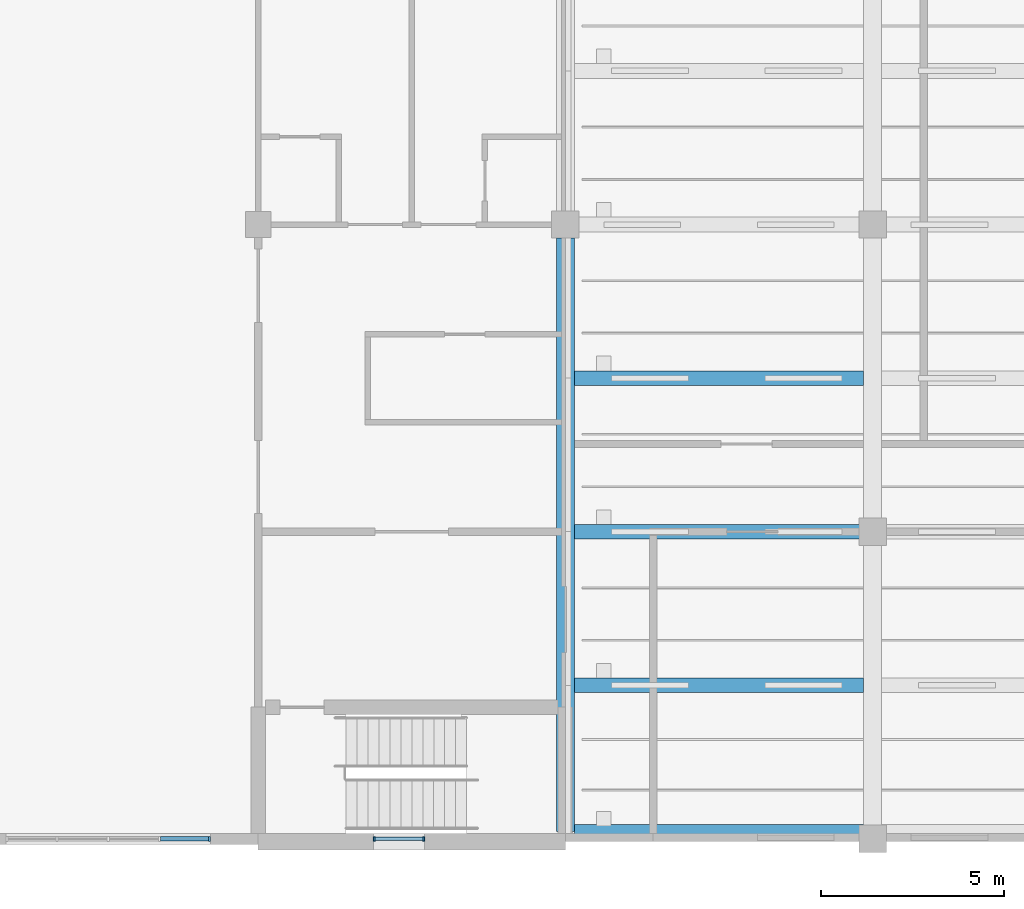
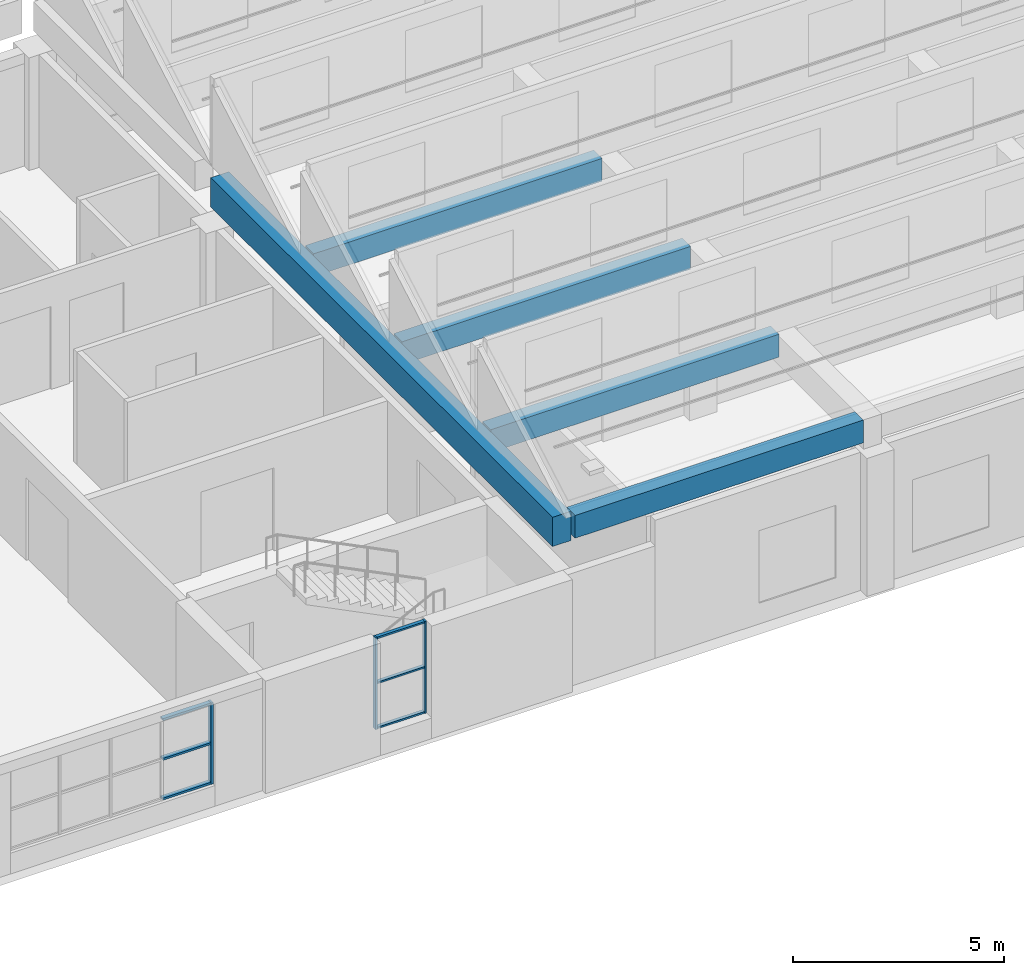
# One storey, part 4 of 61: 9 members, 5 beams, 2 elements without a shape of their own.
"""IFC4 building model written with IfcOpenShell, lengths in metres."""

import ifcopenshell
import ifcopenshell.guid

model = None  # the IFC model being written
_history = None  # IfcOwnerHistory: only IFC2X3 demands one
_inside = {}  # id of a spatial element -> (the spatial element, [elements in it])
_under = {}  # id of a project, library or spatial element -> (it, [spatial elements below it])
_declared = {}  # id of a project -> (the project, [libraries it declares])
_typed = {}  # id of a type object -> (the type object, [elements of that type])
_made_of = {}  # id of a material, layer set ... -> (it, [elements and type objects made of it])


def new_model(schema):
    """Start an empty IFC model of exactly this schema.

    Asked for "IFC4X3", IfcOpenShell would pick the latest addendum, in which some entities
    have other attributes; the version numbers below select the first issue.
    IFC2X3 requires an IfcOwnerHistory on every rooted entity: one is made here for all.
    """
    global model, _history
    if schema == "IFC4X3":
        model = ifcopenshell.file(schema_version=(4, 3, 0, 0))
    else:
        model = ifcopenshell.file(schema=schema)
    _inside.clear()
    _under.clear()
    _declared.clear()
    _typed.clear()
    _made_of.clear()
    _history = None
    if model.schema == "IFC2X3":
        org = make("IfcOrganization", Name="unknown")
        user = make(
            "IfcPersonAndOrganization",
            ThePerson=make("IfcPerson", FamilyName="unknown"),
            TheOrganization=org,
        )
        app = make(
            "IfcApplication",
            ApplicationDeveloper=org,
            Version="unknown",
            ApplicationFullName="unknown",
            ApplicationIdentifier="unknown",
        )
        _history = make(
            "IfcOwnerHistory",
            OwningUser=user,
            OwningApplication=app,
            ChangeAction="ADDED",
            CreationDate=0,
        )
    return model


def make(cls, **values):
    """One entity of the class cls with the attributes given. An attribute that is None is left unset."""
    return model.create_entity(
        cls, **{name: value for name, value in values.items() if value is not None}
    )


def rooted(cls, **values):
    """An entity with a GlobalId (a new one), such as an element, a storey or a relation."""
    return make(cls, GlobalId=ifcopenshell.guid.new(), OwnerHistory=_history, **values)


def si_unit(unit_type, name, prefix=None):
    """IfcSIUnit, for example si_unit("LENGTHUNIT", "METRE", prefix="MILLI")."""
    return make("IfcSIUnit", UnitType=unit_type, Prefix=prefix, Name=name)


def assignment(units):
    """IfcUnitAssignment: the units of a project."""
    return None if units is None else make("IfcUnitAssignment", Units=units)


def point(xyz):
    """IfcCartesianPoint."""
    return None if xyz is None else make("IfcCartesianPoint", Coordinates=xyz)


def direction(xyz):
    """IfcDirection."""
    return None if xyz is None else make("IfcDirection", DirectionRatios=xyz)


def frame(location, z_axis=None, x_axis=None):
    """IfcAxis2Placement3D, a coordinate frame: its origin and axes. An axis left out is left unset."""
    return make(
        "IfcAxis2Placement3D",
        Location=point(location),
        Axis=direction(z_axis),
        RefDirection=direction(x_axis),
    )


def frame_2d(location, x_axis=None):
    """IfcAxis2Placement2D, a coordinate frame in the plane: its origin and x axis."""
    return make(
        "IfcAxis2Placement2D", Location=point(location), RefDirection=direction(x_axis)
    )


def origin():
    """The frame at (0, 0, 0) with its axes left unset."""
    return frame((0.0, 0.0, 0.0))


def origin_2d():
    """The frame at (0, 0) in the plane with its x axis left unset."""
    return frame_2d((0.0, 0.0))


def place(relative_to, where):
    """IfcLocalPlacement: puts the frame where relative to a parent placement (None: the world)."""
    return make(
        "IfcLocalPlacement", PlacementRelTo=relative_to, RelativePlacement=where
    )


def context(
    kind, dimensions, precision=None, world=None, true_north=None, identifier=None
):
    """IfcGeometricRepresentationContext, for example the 3D "Model" context."""
    return make(
        "IfcGeometricRepresentationContext",
        ContextIdentifier=identifier,
        ContextType=kind,
        CoordinateSpaceDimension=dimensions,
        Precision=precision,
        WorldCoordinateSystem=world,
        TrueNorth=true_north,
    )


def subcontext(parent, identifier, kind, view, scale=None):
    """IfcGeometricRepresentationSubContext, for example "Body" below "Model"."""
    return make(
        "IfcGeometricRepresentationSubContext",
        ContextIdentifier=identifier,
        ContextType=kind,
        ParentContext=parent,
        TargetScale=scale,
        TargetView=view,
    )


def project(units=None, contexts=None):
    """IfcProject with its units and contexts."""
    return rooted(
        "IfcProject",
        Name="project",
        RepresentationContexts=contexts,
        UnitsInContext=assignment(units),
    )


def spatial(cls, under=None, at=None, **own):
    """A site, building, storey or space (cls), placed at a placement, below another one or the project."""
    s = rooted(cls, ObjectPlacement=at, **own)
    if under is not None:
        _under.setdefault(under.id(), (under, []))[1].append(s)
    return s


def profile(cls, at=None, kind="AREA", **sizes):
    """A parametric profile (cls). Its sizes go by their IFC names, for example OverallWidth=200.0."""
    return make(cls, ProfileType=kind, Position=at, **sizes)


def rectangle(**sizes):
    """IfcRectangleProfileDef."""
    return profile("IfcRectangleProfileDef", **sizes)


def extrude(swept, where, along, depth):
    """IfcExtrudedAreaSolid: the profile swept, set in the frame where, extruded along a direction by depth."""
    return make(
        "IfcExtrudedAreaSolid",
        SweptArea=swept,
        Position=where,
        ExtrudedDirection=direction(along),
        Depth=depth,
    )


def shape(context_of_items, identifier, shape_type, items):
    """IfcShapeRepresentation: the items that make up one representation, for example the "Body"."""
    return make(
        "IfcShapeRepresentation",
        ContextOfItems=context_of_items,
        RepresentationIdentifier=identifier,
        RepresentationType=shape_type,
        Items=items,
    )


def material(Name=None, Category=None):
    """IfcMaterial."""
    return make("IfcMaterial", Name=Name, Category=Category)


def material_profile(
    of_material, cross_section, Name=None, Category=None, Priority=None
):
    """IfcMaterialProfile: a cross section and its material."""
    return make(
        "IfcMaterialProfile",
        Name=Name,
        Material=of_material,
        Profile=cross_section,
        Priority=Priority,
        Category=Category,
    )


def profile_set(profiles, Name=None, composite=None):
    """IfcMaterialProfileSet."""
    return make(
        "IfcMaterialProfileSet",
        Name=Name,
        MaterialProfiles=profiles,
        CompositeProfile=composite,
    )


def made_of(thing, what):
    """Note that an element or type object is made of a material, layer set ...; save() writes the relation."""
    if what is not None:
        _made_of.setdefault(what.id(), (what, []))[1].append(thing)
    return thing


def type_object(cls, material=None, **own):
    """A type object (cls), such as IfcWallType, which elements share."""
    return made_of(rooted(cls, **own), material)


def element(
    cls,
    number,
    at=None,
    inside=None,
    cuts=None,
    type_object=None,
    material=None,
    context=None,
    identifier="Body",
    shape_type=None,
    held_by="IfcProductDefinitionShape",
    body=None,
    shapes=None,
    **own,
):
    """One element of the class cls, such as IfcWall. Its Tag is "e" and its number.

    at: its placement. inside: the storey or other place that contains it. cuts: it is an
    opening in that element (IfcRelVoidsElement). A single representation is given by context,
    identifier, shape_type and body (its items); several are given by shapes. held_by: the class
    of the entity that holds the representations. save() writes the other relations.
    """
    e = rooted(cls, Tag="e%d" % number, ObjectPlacement=at, **own)
    if body is not None:
        shapes = [shape(context, identifier, shape_type, body)]
    if shapes is not None:
        e.Representation = make(held_by, Representations=shapes)
    if inside is not None:
        _inside.setdefault(inside.id(), (inside, []))[1].append(e)
    if cuts is not None:
        rooted(
            "IfcRelVoidsElement", RelatingBuildingElement=cuts, RelatedOpeningElement=e
        )
    if type_object is not None:
        _typed.setdefault(type_object.id(), (type_object, []))[1].append(e)
    return made_of(e, material)


def aggregate(whole, parts):
    """IfcRelAggregates: a whole, such as a stair, and the parts it consists of."""
    return rooted("IfcRelAggregates", RelatingObject=whole, RelatedObjects=parts)


def save(model, path):
    """Write the relations noted so far, then the file.

    IfcRelAggregates (storeys below a building ...), IfcRelContainedInSpatialStructure (elements
    in a storey), IfcRelDefinesByType, IfcRelAssociatesMaterial and IfcRelDeclares: one each for
    every whole, place, type object, material and project.
    """
    for whole, parts in _under.values():
        aggregate(whole, parts)
    for where, things in _inside.values():
        rooted(
            "IfcRelContainedInSpatialStructure",
            RelatedElements=things,
            RelatingStructure=where,
        )
    for kind, things in _typed.values():
        rooted("IfcRelDefinesByType", RelatedObjects=things, RelatingType=kind)
    for what, things in _made_of.values():
        rooted("IfcRelAssociatesMaterial", RelatedObjects=things, RelatingMaterial=what)
    for by, libraries in _declared.values():
        rooted("IfcRelDeclares", RelatingContext=by, RelatedDefinitions=libraries)
    model.write(path)


model = new_model("IFC4")

# Units and contexts
model_context = context("Model", 3, precision=1e-05, world=origin(), true_north=direction((0.0, 1.0)))
body_context = subcontext(model_context, "Body", "Model", "MODEL_VIEW")
ifc_project = project(units=[si_unit("LENGTHUNIT", "METRE"), si_unit("AREAUNIT", "SQUARE_METRE"), si_unit("VOLUMEUNIT", "CUBIC_METRE"), si_unit("PLANEANGLEUNIT", "RADIAN"), si_unit("MASSUNIT", "GRAM", prefix="KILO")], contexts=[model_context])

# Site, building, storey
site_placement = place(None, origin())
site = spatial("IfcSite", under=ifc_project, at=site_placement, CompositionType="ELEMENT")
building_placement = place(site_placement, origin())
building = spatial("IfcBuilding", under=site, at=building_placement, Name="Yavir Park General Hospital", CompositionType="ELEMENT")
storey_placement = place(building_placement, frame((0.0, 0.0, 15.300048828125)))
storey = spatial("IfcBuildingStorey", under=building, at=storey_placement, Name="L03", CompositionType="ELEMENT", Elevation=15.300048828125)

# Curtain wall, members
ifc_material_1 = material(Name="Aluminium curtain wall frame with insulated glazing", Category="aluminium")
curtain_wall_type_1 = type_object("IfcCurtainWallType", Name="Day room pocket glazing, ward floors, 2360 high, 1400 module", PredefinedType="NOTDEFINED", material=ifc_material_1)
curtain_wall_1_placement = place(storey_placement, origin())
curtain_wall_1 = element("IfcCurtainWall", 1, at=curtain_wall_1_placement, inside=storey, type_object=curtain_wall_type_1, Name="CW6 L03-002", PredefinedType="NOTDEFINED")
ifc_material_2 = material(Name="Aluminium", Category="aluminium")
ifc_material_profile_1 = material_profile(ifc_material_2, rectangle(XDim=0.139892578125, YDim=0.06005859375, at=origin_2d()), Name="AL 60x140")
ifc_profile_set_1 = profile_set([ifc_material_profile_1], Name="Aluminium")
member_type_1 = type_object("IfcMemberType", Name="Day room pocket glazing, ward floors, 2360 high mullion 60 x 140", PredefinedType="MULLION", material=ifc_profile_set_1)
member_1_placement = place(storey_placement, frame((32.27001953125, 0.0, 0.599853515625), z_axis=(0.0, 0.0, 1.0), x_axis=(0.0, 1.0, 0.0)))
member_1 = element("IfcMember", 2, at=member_1_placement, type_object=member_type_1, Name="CW6 mullion 5", PredefinedType="MULLION", context=body_context, shape_type="SweptSolid", body=[
    extrude(rectangle(XDim=0.139892578125, YDim=0.06005859375, at=origin_2d()), origin(), (0.0, 0.0, 1.0), 2.360107421875),
])
ifc_material_3 = material(Name="Aluminium", Category="aluminium")
ifc_material_profile_2 = material_profile(ifc_material_3, rectangle(XDim=0.1201171875, YDim=0.06005859375, at=origin_2d()), Name="AL 120x60")
ifc_profile_set_2 = profile_set([ifc_material_profile_2], Name="Aluminium")
member_type_2 = type_object("IfcMemberType", Name="Day room pocket glazing, ward floors, 2360 high transom 60 x 120", PredefinedType="MULLION", material=ifc_profile_set_2)
member_2_placement = place(storey_placement, frame((30.929931640625, 0.0, 0.6298828125), z_axis=(1.0, 0.0, 0.0), x_axis=(0.0, 1.0, 0.0)))
member_2 = element("IfcMember", 3, at=member_2_placement, type_object=member_type_2, Name="CW6 transom 4.1", PredefinedType="MULLION", context=body_context, shape_type="SweptSolid", body=[
    extrude(rectangle(XDim=0.1201171875, YDim=0.06005859375, at=origin_2d()), origin(), (0.0, 0.0, 1.0), 1.31005859375),
])
member_3_placement = place(storey_placement, frame((30.929931640625, 0.0, 1.780029296875), z_axis=(1.0, 0.0, 0.0), x_axis=(0.0, 1.0, 0.0)))
member_3 = element("IfcMember", 4, at=member_3_placement, type_object=member_type_2, Name="CW6 transom 4.2", PredefinedType="MULLION", context=body_context, shape_type="SweptSolid", body=[
    extrude(rectangle(XDim=0.1201171875, YDim=0.06005859375, at=origin_2d()), origin(), (0.0, 0.0, 1.0), 1.31005859375),
])
member_4_placement = place(storey_placement, frame((30.929931640625, 0.0, 2.929931640625), z_axis=(1.0, 0.0, 0.0), x_axis=(0.0, 1.0, 0.0)))
member_4 = element("IfcMember", 5, at=member_4_placement, type_object=member_type_2, Name="CW6 transom 4.3", PredefinedType="MULLION", context=body_context, shape_type="SweptSolid", body=[
    extrude(rectangle(XDim=0.1201171875, YDim=0.06005859375, at=origin_2d()), origin(), (0.0, 0.0, 1.0), 1.31005859375),
])
aggregate(curtain_wall_1, [member_1, member_2, member_3, member_4])

# Beams
ifc_material_4 = material(Name="Concrete C35/45", Category="concrete")
ifc_material_profile_3 = material_profile(ifc_material_4, rectangle(XDim=0.39990234375, YDim=0.659912109375, at=origin_2d()), Name="RC400x660")
ifc_profile_set_3 = profile_set([ifc_material_profile_3], Name="Concrete C35/45")
beam_type_1 = type_object("IfcBeamType", Name="RC BEAM 400x660 sawtooth kerb beam", PredefinedType="BEAM", material=ifc_profile_set_3)
for number, where, z_axis, x_axis, name in (
    (6, (42.25, 0.199951171875, 4.516845703125), (1.0, 0.0, 0.0), (0.0, 1.0, 0.0), "B:SAW:K0:0"),
    (7, (42.25, 4.199951171875, 4.573974609375), (1.0, 0.0, 0.0), (0.0, 1.0, 0.0), "B:SAW:K1:0"),
    (8, (42.25, 8.39990234375, 4.573974609375), (1.0, 0.0, 0.0), (0.0, 1.0, 0.0), "B:SAW:K2:0"),
    (9, (42.25, 12.60009765625, 4.573974609375), (1.0, 0.0, 0.0), (0.0, 1.0, 0.0), "B:SAW:K3:0"),
):
    element("IfcBeam", number, at=place(storey_placement, frame(where, z_axis=z_axis, x_axis=x_axis)), inside=storey, type_object=beam_type_1, Name=name, PredefinedType="BEAM", context=body_context, shape_type="SweptSolid", body=[
        extrude(rectangle(XDim=0.39990234375, YDim=0.659912109375, at=origin_2d()), origin(), (0.0, 0.0, 1.0), 7.89990234375),
    ])
ifc_material_5 = material(Name="Concrete C35/45", Category="concrete")
ifc_material_profile_4 = material_profile(ifc_material_5, rectangle(XDim=0.5, YDim=0.846923828125, at=origin_2d()), Name="RC500x847")
ifc_profile_set_4 = profile_set([ifc_material_profile_4], Name="Concrete C35/45")
beam_type_2 = type_object("IfcBeamType", Name="RC BEAM 500x847 sawtooth girder", PredefinedType="BEAM", material=ifc_profile_set_4)
beam_placement = place(storey_placement, frame((42.0, 0.199951171875, 4.42333984375), z_axis=(0.0, 1.0, 0.0), x_axis=(-1.0, 0.0, 0.0)))
element("IfcBeam", 10, at=beam_placement, inside=storey, type_object=beam_type_2, Name="B:SAW:G0:0", PredefinedType="BEAM", context=body_context, shape_type="SweptSolid", body=[
    extrude(rectangle(XDim=0.5, YDim=0.846923828125, at=origin_2d()), origin(), (0.0, 0.0, 1.0), 16.22509765625),
])

# Curtain wall, members
ifc_material_6 = material(Name="Aluminium curtain wall frame with insulated glazing", Category="aluminium")
curtain_wall_type_2 = type_object("IfcCurtainWallType", Name="Stair light slot, ward floors, 2660 high, 1400 module", PredefinedType="NOTDEFINED", material=ifc_material_6)
curtain_wall_2_placement = place(storey_placement, origin())
curtain_wall_2 = element("IfcCurtainWall", 11, at=curtain_wall_2_placement, inside=storey, type_object=curtain_wall_type_2, Name="CW10 L03-003", PredefinedType="NOTDEFINED")
ifc_material_7 = material(Name="Aluminium", Category="aluminium")
ifc_material_profile_5 = material_profile(ifc_material_7, rectangle(XDim=0.1201171875, YDim=0.050048828125, at=origin_2d()), Name="AL 50x120")
ifc_profile_set_5 = profile_set([ifc_material_profile_5], Name="Aluminium")
member_type_3 = type_object("IfcMemberType", Name="Stair light slot, ward floors, 2660 high mullion 50 x 120", PredefinedType="MULLION", material=ifc_profile_set_5)
member_5_placement = place(storey_placement, frame((36.77490234375, 0.0, 0.599853515625), z_axis=(0.0, 0.0, 1.0), x_axis=(0.0, 1.0, 0.0)))
member_5 = element("IfcMember", 12, at=member_5_placement, type_object=member_type_3, Name="CW10 mullion 1", PredefinedType="MULLION", context=body_context, shape_type="SweptSolid", body=[
    extrude(rectangle(XDim=0.1201171875, YDim=0.050048828125, at=origin_2d()), origin(), (0.0, 0.0, 1.0), 2.66015625),
])
member_6_placement = place(storey_placement, frame((38.125, 0.0, 0.599853515625), z_axis=(0.0, 0.0, 1.0), x_axis=(0.0, 1.0, 0.0)))
member_6 = element("IfcMember", 13, at=member_6_placement, type_object=member_type_3, Name="CW10 mullion 2", PredefinedType="MULLION", context=body_context, shape_type="SweptSolid", body=[
    extrude(rectangle(XDim=0.1201171875, YDim=0.050048828125, at=origin_2d()), origin(), (0.0, 0.0, 1.0), 2.66015625),
])
ifc_material_8 = material(Name="Aluminium", Category="aluminium")
ifc_material_profile_6 = material_profile(ifc_material_8, rectangle(XDim=0.10009765625, YDim=0.050048828125, at=origin_2d()), Name="AL 100x50")
ifc_profile_set_6 = profile_set([ifc_material_profile_6], Name="Aluminium")
member_type_4 = type_object("IfcMemberType", Name="Stair light slot, ward floors, 2660 high transom 50 x 100", PredefinedType="MULLION", material=ifc_profile_set_6)
member_7_placement = place(storey_placement, frame((36.800048828125, 0.0, 0.625), z_axis=(1.0, 0.0, 0.0), x_axis=(0.0, 1.0, 0.0)))
member_7 = element("IfcMember", 14, at=member_7_placement, type_object=member_type_4, Name="CW10 transom 1.1", PredefinedType="MULLION", context=body_context, shape_type="SweptSolid", body=[
    extrude(rectangle(XDim=0.10009765625, YDim=0.050048828125, at=origin_2d()), origin(), (0.0, 0.0, 1.0), 1.300048828125),
])
member_8_placement = place(storey_placement, frame((36.800048828125, 0.0, 1.929931640625), z_axis=(1.0, 0.0, 0.0), x_axis=(0.0, 1.0, 0.0)))
member_8 = element("IfcMember", 15, at=member_8_placement, type_object=member_type_4, Name="CW10 transom 1.2", PredefinedType="MULLION", context=body_context, shape_type="SweptSolid", body=[
    extrude(rectangle(XDim=0.10009765625, YDim=0.050048828125, at=origin_2d()), origin(), (0.0, 0.0, 1.0), 1.300048828125),
])
member_9_placement = place(storey_placement, frame((36.800048828125, 0.0, 3.23486328125), z_axis=(1.0, 0.0, 0.0), x_axis=(0.0, 1.0, 0.0)))
member_9 = element("IfcMember", 16, at=member_9_placement, type_object=member_type_4, Name="CW10 transom 1.3", PredefinedType="MULLION", context=body_context, shape_type="SweptSolid", body=[
    extrude(rectangle(XDim=0.10009765625, YDim=0.050048828125, at=origin_2d()), origin(), (0.0, 0.0, 1.0), 1.300048828125),
])
aggregate(curtain_wall_2, [member_5, member_6, member_7, member_8, member_9])

save(model, "model.ifc")
